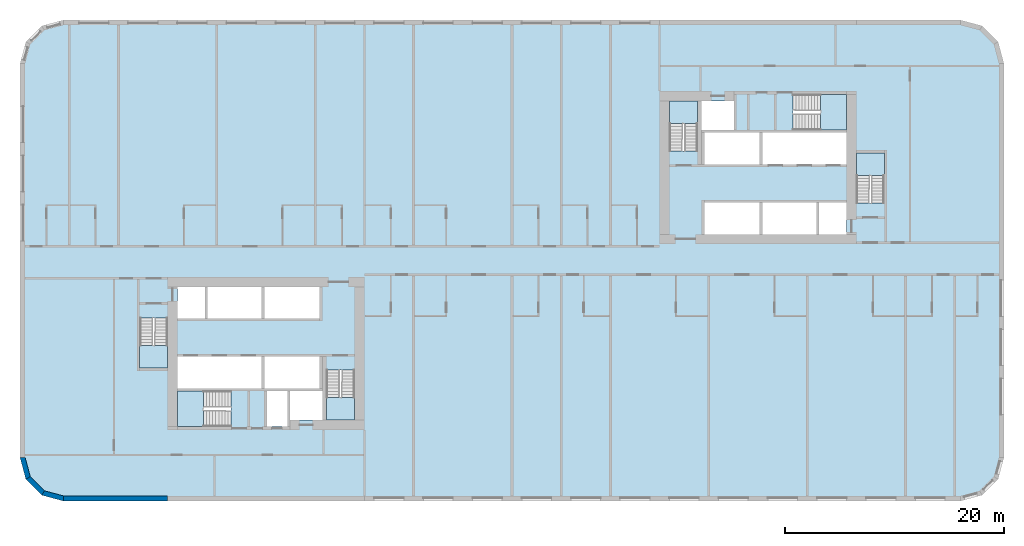
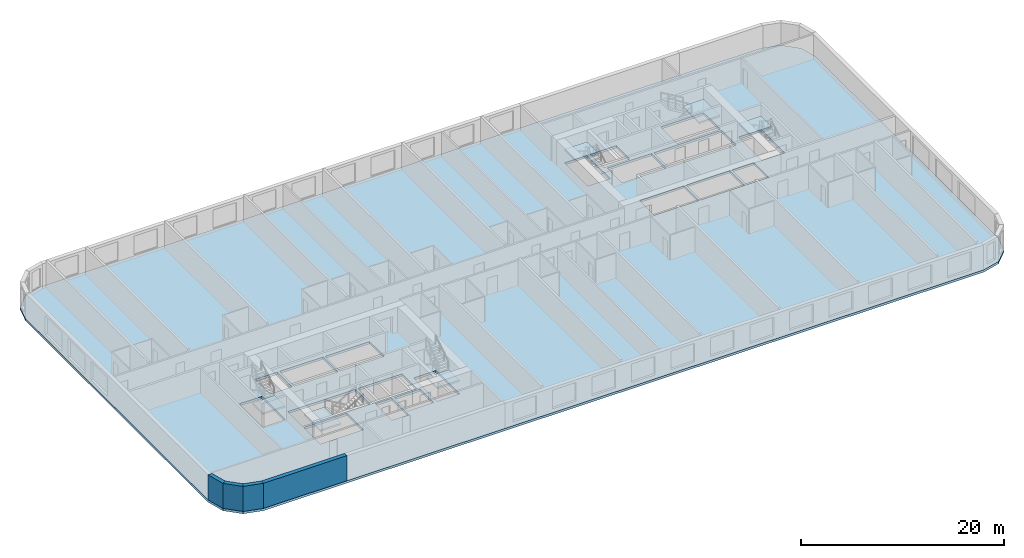
# One storey, part 1 of 12: 7 slabs, 4 walls, 6 elements without a shape of their own.
"""IFC4 building model written with IfcOpenShell, lengths in metres."""

from ifc_helpers import new_model, si_unit, direction, frame, frame_2d, origin, place, context, subcontext, project, spatial, polyline, rectangle, outline, extrude, material, layer, layer_set, type_object, element, aggregate, save


model = new_model("IFC4")

# Units and contexts
model_context = context("Model", 3, precision=1e-05, world=origin(), true_north=direction((0.0, 1.0)))
body_context = subcontext(model_context, "Body", "Model", "MODEL_VIEW")
ifc_project = project(units=[si_unit("LENGTHUNIT", "METRE"), si_unit("AREAUNIT", "SQUARE_METRE"), si_unit("VOLUMEUNIT", "CUBIC_METRE"), si_unit("PLANEANGLEUNIT", "RADIAN"), si_unit("MASSUNIT", "GRAM", prefix="KILO")], contexts=[model_context])

# Site, building, storey
site_placement = place(None, origin())
site = spatial("IfcSite", under=ifc_project, at=site_placement, CompositionType="ELEMENT")
building_placement = place(site_placement, origin())
building = spatial("IfcBuilding", under=site, at=building_placement, Name="Kajstack Hotel Tower", CompositionType="ELEMENT")
storey_placement = place(building_placement, frame((0.0, 0.0, 66.60009765625)))
storey = spatial("IfcBuildingStorey", under=building, at=storey_placement, Name="L11", CompositionType="ELEMENT", Elevation=66.60009765625)

# Slab
ifc_material_1 = material(Name="Concrete C40/50", Category="concrete")
ifc_layer_1 = layer(ifc_material_1, 0.280029296875)
ifc_layer_set_1 = layer_set([ifc_layer_1], Name="RC slab 280 C40/50 guest")
slab_type_1 = type_object("IfcSlabType", Name="RC slab 280 C40/50 guest", PredefinedType="FLOOR", material=ifc_layer_set_1)
slab_1_placement = place(storey_placement, frame((0.0, 0.0, -0.280029296875)))
element("IfcSlab", 1, at=slab_1_placement, inside=storey, type_object=slab_type_1, Name="S-slab-L11", PredefinedType="FLOOR", context=body_context, shape_type="SweptSolid", body=[
    extrude(outline(polyline([(-45.0, -18.0), (-44.464111328125, -20.0), (-43.0, -21.464111328125), (-41.0, -22.0), (41.0, -22.0), (43.0, -21.464111328125), (44.464111328125, -20.0), (45.0, -18.0), (45.0, 18.0), (44.464111328125, 20.0), (43.0, 21.464111328125), (41.0, 22.0), (-41.0, 22.0), (-43.0, 21.464111328125), (-44.464111328125, 20.0), (-45.0, 18.0), (-45.0, -18.0)]), holes=[polyline([(-30.60009765625, -11.699951171875), (-30.60009765625, -8.800048828125), (-22.89990234375, -8.800048828125), (-22.89990234375, -11.699951171875), (-30.60009765625, -11.699951171875)]), polyline([(-22.64990234375, -11.699951171875), (-22.64990234375, -8.800048828125), (-17.60009765625, -8.800048828125), (-17.60009765625, -11.699951171875), (-22.64990234375, -11.699951171875)]), polyline([(-27.85009765625, -5.300048828125), (-27.85009765625, -2.39990234375), (-22.89990234375, -2.39990234375), (-22.89990234375, -5.300048828125), (-27.85009765625, -5.300048828125)]), polyline([(-22.64990234375, -5.300048828125), (-22.64990234375, -2.39990234375), (-17.60009765625, -2.39990234375), (-17.60009765625, -5.300048828125), (-22.64990234375, -5.300048828125)]), polyline([(-20.300048828125, -14.60009765625), (-17.35009765625, -14.60009765625), (-17.35009765625, -11.949951171875), (-20.300048828125, -11.949951171875), (-20.300048828125, -14.60009765625)]), polyline([(-30.60009765625, -5.300048828125), (-28.10009765625, -5.300048828125), (-28.10009765625, -2.39990234375), (-30.60009765625, -2.39990234375), (-30.60009765625, -5.300048828125)]), polyline([(22.89990234375, 8.800048828125), (22.89990234375, 11.699951171875), (30.60009765625, 11.699951171875), (30.60009765625, 8.800048828125), (22.89990234375, 8.800048828125)]), polyline([(17.60009765625, 8.800048828125), (17.60009765625, 11.699951171875), (22.64990234375, 11.699951171875), (22.64990234375, 8.800048828125), (17.60009765625, 8.800048828125)]), polyline([(22.89990234375, 2.39990234375), (22.89990234375, 5.300048828125), (27.85009765625, 5.300048828125), (27.85009765625, 2.39990234375), (22.89990234375, 2.39990234375)]), polyline([(17.60009765625, 2.39990234375), (17.60009765625, 5.300048828125), (22.64990234375, 5.300048828125), (22.64990234375, 2.39990234375), (17.60009765625, 2.39990234375)]), polyline([(20.300048828125, 14.60009765625), (17.35009765625, 14.60009765625), (17.35009765625, 11.949951171875), (20.300048828125, 11.949951171875), (20.300048828125, 14.60009765625)]), polyline([(30.60009765625, 5.300048828125), (28.10009765625, 5.300048828125), (28.10009765625, 2.39990234375), (30.60009765625, 2.39990234375), (30.60009765625, 5.300048828125)]), polyline([(-34.050048828125, -9.85009765625), (-31.5, -9.85009765625), (-31.5, -5.25), (-34.050048828125, -5.25), (-34.050048828125, -9.85009765625)]), polyline([(-16.949951171875, -14.60009765625), (-14.39990234375, -14.60009765625), (-14.39990234375, -10.0), (-16.949951171875, -10.0), (-16.949951171875, -14.60009765625)]), polyline([(-30.60009765625, -15.199951171875), (-25.699951171875, -15.199951171875), (-25.699951171875, -11.949951171875), (-30.60009765625, -11.949951171875), (-30.60009765625, -15.199951171875)]), polyline([(34.050048828125, 9.85009765625), (31.5, 9.85009765625), (31.5, 5.25), (34.050048828125, 5.25), (34.050048828125, 9.85009765625)]), polyline([(16.949951171875, 14.60009765625), (14.39990234375, 14.60009765625), (14.39990234375, 10.0), (16.949951171875, 10.0), (16.949951171875, 14.60009765625)]), polyline([(30.60009765625, 15.199951171875), (25.699951171875, 15.199951171875), (25.699951171875, 11.949951171875), (30.60009765625, 11.949951171875), (30.60009765625, 15.199951171875)]), polyline([(-22.425048828125, -15.199951171875), (-22.425048828125, -11.949951171875), (-20.550048828125, -11.949951171875), (-20.550048828125, -15.199951171875), (-22.425048828125, -15.199951171875)])]), origin(), (0.0, 0.0, 1.0), 0.280029296875),
])

# Stair, slab
stair_type_1 = type_object("IfcStairType", Name="Exit stair 1200", PredefinedType="HALF_TURN_STAIR", material=ifc_material_1)
stair_1_placement = place(storey_placement, origin())
stair_1 = element("IfcStair", 2, at=stair_1_placement, inside=storey, type_object=stair_type_1, Name="L11 stair W1", PredefinedType="HALF_TURN_STAIR")
ifc_layer_2 = layer(ifc_material_1, 0.199951171875)
ifc_layer_set_2 = layer_set([ifc_layer_2], Name="Stair landing 200")
slab_type_2 = type_object("IfcSlabType", Name="Stair landing 200", PredefinedType="LANDING", material=ifc_layer_set_2)
slab_2_placement = place(storey_placement, frame((0.0, 0.0, 1.449951171875)))
slab_2 = element("IfcSlab", 3, at=slab_2_placement, type_object=slab_type_2, Name="W1 landing 1", PredefinedType="LANDING", context=body_context, shape_type="SweptSolid", body=[
    extrude(outline(polyline([(-34.050048828125, -7.77001953125), (-34.050048828125, -9.85009765625), (-31.5, -9.85009765625), (-31.5, -7.77001953125), (-34.050048828125, -7.77001953125)])), origin(), (0.0, 0.0, 1.0), 0.199951171875),
])
aggregate(stair_1, [slab_2])

stair_2_placement = place(storey_placement, origin())
stair_2 = element("IfcStair", 4, at=stair_2_placement, inside=storey, type_object=stair_type_1, Name="L11 stair W2", PredefinedType="HALF_TURN_STAIR")
slab_3_placement = place(storey_placement, frame((0.0, 0.0, 1.449951171875)))
slab_3 = element("IfcSlab", 5, at=slab_3_placement, type_object=slab_type_2, Name="W2 landing 1", PredefinedType="LANDING", context=body_context, shape_type="SweptSolid", body=[
    extrude(outline(polyline([(-16.949951171875, -12.52001953125), (-16.949951171875, -14.60009765625), (-14.39990234375, -14.60009765625), (-14.39990234375, -12.52001953125), (-16.949951171875, -12.52001953125)])), origin(), (0.0, 0.0, 1.0), 0.199951171875),
])
aggregate(stair_2, [slab_3])

stair_type_2 = type_object("IfcStairType", Name="Exit stair 1500", PredefinedType="HALF_TURN_STAIR", material=ifc_material_1)
stair_3_placement = place(storey_placement, origin())
stair_3 = element("IfcStair", 6, at=stair_3_placement, inside=storey, type_object=stair_type_2, Name="L11 stair W3", PredefinedType="HALF_TURN_STAIR")
slab_4_placement = place(storey_placement, frame((0.0, 0.0, 1.449951171875)))
slab_4 = element("IfcSlab", 7, at=slab_4_placement, type_object=slab_type_2, Name="W3 landing 1", PredefinedType="LANDING", context=body_context, shape_type="SweptSolid", body=[
    extrude(outline(polyline([(-28.219970703125, -11.949951171875), (-30.60009765625, -11.949951171875), (-30.60009765625, -15.199951171875), (-28.219970703125, -15.199951171875), (-28.219970703125, -11.949951171875)])), origin(), (0.0, 0.0, 1.0), 0.199951171875),
])
aggregate(stair_3, [slab_4])

stair_4_placement = place(storey_placement, origin())
stair_4 = element("IfcStair", 8, at=stair_4_placement, inside=storey, type_object=stair_type_1, Name="L11 stair E1", PredefinedType="HALF_TURN_STAIR")
slab_5_placement = place(storey_placement, frame((0.0, 0.0, 1.449951171875)))
slab_5 = element("IfcSlab", 9, at=slab_5_placement, type_object=slab_type_2, Name="E1 landing 1", PredefinedType="LANDING", context=body_context, shape_type="SweptSolid", body=[
    extrude(outline(polyline([(34.050048828125, 7.77001953125), (34.050048828125, 9.85009765625), (31.5, 9.85009765625), (31.5, 7.77001953125), (34.050048828125, 7.77001953125)])), origin(), (0.0, 0.0, 1.0), 0.199951171875),
])
aggregate(stair_4, [slab_5])

stair_5_placement = place(storey_placement, origin())
stair_5 = element("IfcStair", 10, at=stair_5_placement, inside=storey, type_object=stair_type_1, Name="L11 stair E2", PredefinedType="HALF_TURN_STAIR")
slab_6_placement = place(storey_placement, frame((0.0, 0.0, 1.449951171875)))
slab_6 = element("IfcSlab", 11, at=slab_6_placement, type_object=slab_type_2, Name="E2 landing 1", PredefinedType="LANDING", context=body_context, shape_type="SweptSolid", body=[
    extrude(outline(polyline([(16.949951171875, 12.52001953125), (16.949951171875, 14.60009765625), (14.39990234375, 14.60009765625), (14.39990234375, 12.52001953125), (16.949951171875, 12.52001953125)])), origin(), (0.0, 0.0, 1.0), 0.199951171875),
])
aggregate(stair_5, [slab_6])

stair_6_placement = place(storey_placement, origin())
stair_6 = element("IfcStair", 12, at=stair_6_placement, inside=storey, type_object=stair_type_2, Name="L11 stair E3", PredefinedType="HALF_TURN_STAIR")
slab_7_placement = place(storey_placement, frame((0.0, 0.0, 1.449951171875)))
slab_7 = element("IfcSlab", 13, at=slab_7_placement, type_object=slab_type_2, Name="E3 landing 1", PredefinedType="LANDING", context=body_context, shape_type="SweptSolid", body=[
    extrude(outline(polyline([(28.219970703125, 11.949951171875), (30.60009765625, 11.949951171875), (30.60009765625, 15.199951171875), (28.219970703125, 15.199951171875), (28.219970703125, 11.949951171875)])), origin(), (0.0, 0.0, 1.0), 0.199951171875),
])
aggregate(stair_6, [slab_7])

# Walls
ifc_material_2 = material(Name="Terracotta-faced brick masonry", Category="masonry")
ifc_layer_3 = layer(ifc_material_2, 0.449951171875)
ifc_layer_set_3 = layer_set([ifc_layer_3], Name="EW-TERRA")
wall_type = type_object("IfcWallType", Name="EW-TERRA", PredefinedType="SOLIDWALL", material=ifc_layer_set_3)
wall_1_placement = place(storey_placement, frame((-44.78271484375, -17.941650390625, 0.0), z_axis=(0.0, 0.0, 1.0), x_axis=(0.25881466832, -0.965926999034, 0.0)))
element("IfcWall", 14, at=wall_1_placement, inside=storey, type_object=wall_type, Name="E-wall-L11-00-00", PredefinedType="SOLIDWALL", context=body_context, shape_type="SweptSolid", body=[
    extrude(outline(polyline([(0.000244140625, -0.22509765625), (2.070556640625, -0.224853515625), (1.9501953125, 0.22509765625), (0.12060546875, 0.22509765625), (0.000244140625, -0.22509765625)])), origin(), (0.0, 0.0, 1.0), 3.02001953125),
])
wall_2_placement = place(storey_placement, frame((-44.304931640625, -19.8408203125, 0.0), z_axis=(0.0, 0.0, 1.0), x_axis=(0.707106781187, -0.707106781187, 0.0)))
element("IfcWall", 15, at=wall_2_placement, inside=storey, type_object=wall_type, Name="E-wall-L11-01-00", PredefinedType="SOLIDWALL", context=body_context, shape_type="SweptSolid", body=[
    extrude(outline(polyline([(0.0, -0.22509765625), (2.070556640625, -0.22509765625), (1.949951171875, 0.224853515625), (0.12060546875, 0.224853515625), (0.0, -0.22509765625)])), origin(), (0.0, 0.0, 1.0), 3.02001953125),
])
wall_3_placement = place(storey_placement, frame((-42.941650390625, -21.246826171875, 0.0), z_axis=(0.0, 0.0, 1.0), x_axis=(0.965926999034, -0.25881466832, 0.0)))
element("IfcWall", 16, at=wall_3_placement, inside=storey, type_object=wall_type, Name="E-wall-L11-02-00", PredefinedType="SOLIDWALL", context=body_context, shape_type="SweptSolid", body=[
    extrude(outline(polyline([(-0.000244140625, -0.224853515625), (2.0703125, -0.22509765625), (1.949951171875, 0.22509765625), (0.120361328125, 0.22509765625), (-0.000244140625, -0.224853515625)])), origin(), (0.0, 0.0, 1.0), 3.02001953125),
])
wall_4_placement = place(storey_placement, frame((-41.0, -21.77490234375, 0.0), z_axis=(0.0, 0.0, 1.0), x_axis=(1.0, 0.0, 0.0)))
element("IfcWall", 17, at=wall_4_placement, inside=storey, type_object=wall_type, Name="E-wall-L11-03-00", PredefinedType="SOLIDWALL", context=body_context, shape_type="SweptSolid", body=[
    extrude(rectangle(XDim=9.5, YDim=0.449951171875, at=frame_2d((4.75, 0.0))), origin(), (0.0, 0.0, 1.0), 3.02001953125),
])

save(model, "model.ifc")
